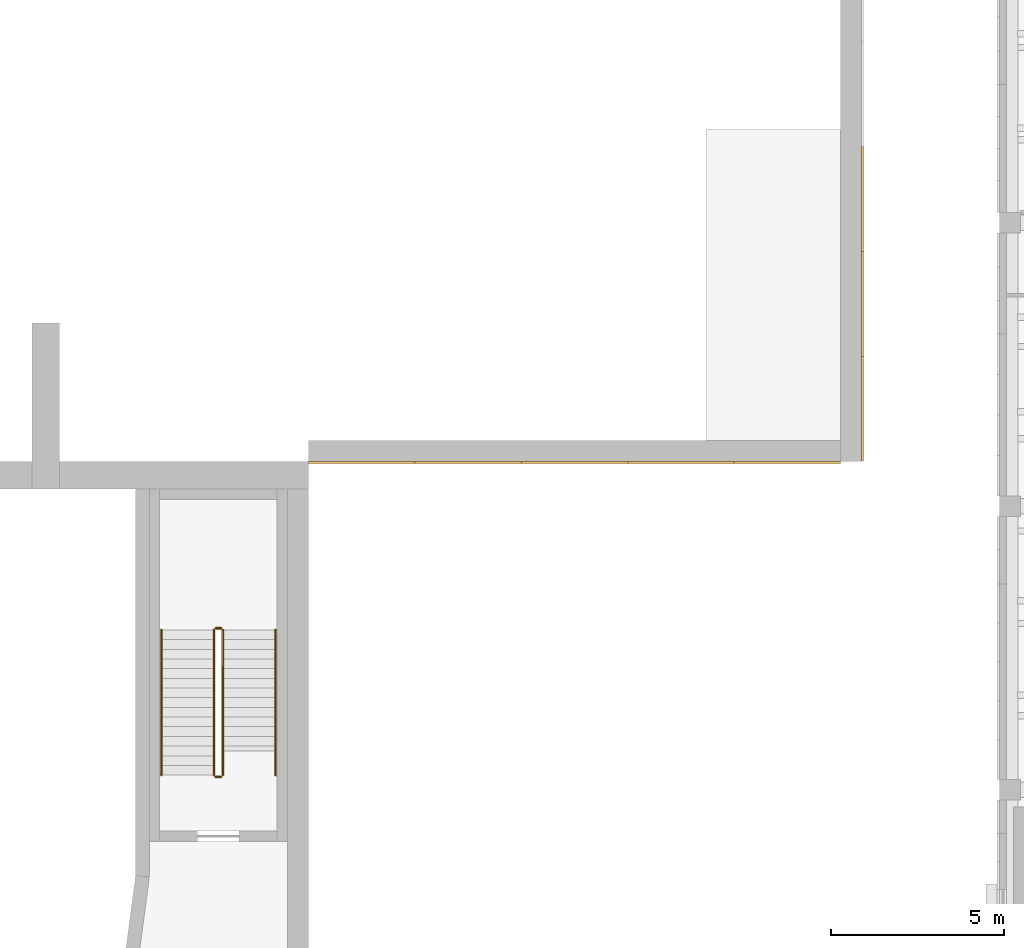
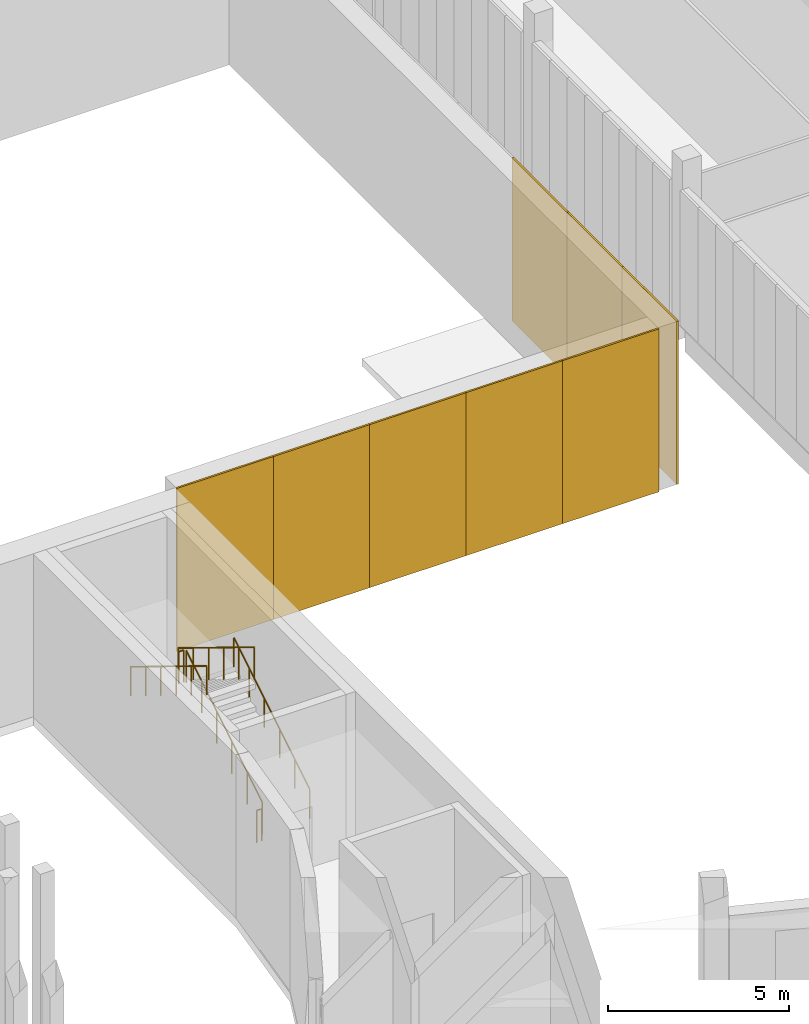
# One storey, part 96 of 112: 8 coverings, 6 railings.
"""IFC4 building model written with IfcOpenShell, lengths in metres."""

from ifc_helpers import new_model, si_unit, direction, frame, origin, origin_2d, place, context, subcontext, project, spatial, rectangle, circle, extrude, material, layer, layer_set, type_object, element, save


model = new_model("IFC4")

# Units and contexts
model_context = context("Model", 3, precision=1e-05, world=origin(), true_north=direction((0.0, 1.0)))
body_context = subcontext(model_context, "Body", "Model", "MODEL_VIEW")
ifc_project = project(units=[si_unit("LENGTHUNIT", "METRE"), si_unit("AREAUNIT", "SQUARE_METRE"), si_unit("VOLUMEUNIT", "CUBIC_METRE"), si_unit("PLANEANGLEUNIT", "RADIAN"), si_unit("MASSUNIT", "GRAM", prefix="KILO")], contexts=[model_context])

# Site, building, storey
site_placement = place(None, origin())
site = spatial("IfcSite", under=ifc_project, at=site_placement, CompositionType="ELEMENT")
building_placement = place(site_placement, origin())
building = spatial("IfcBuilding", under=site, at=building_placement, Name="Lunette Opera House", CompositionType="ELEMENT")
storey_placement = place(building_placement, frame((0.0, 0.0, 6.0)))
storey = spatial("IfcBuildingStorey", under=building, at=storey_placement, Name="L01", CompositionType="ELEMENT", Elevation=6.0)

# Railings
ifc_material_1 = material(Name="Steel S355", Category="steel")
railing_type_1 = type_object("IfcRailingType", Name="STAIR GUARD 1100", PredefinedType="GUARDRAIL", material=ifc_material_1)
railing_1_placement = place(storey_placement, frame((113.530029296875, 86.919921875, 0.171875)))
element("IfcRailing", 1, at=railing_1_placement, inside=storey, type_object=railing_type_1, Name="L01 ST9 stair guard 1", PredefinedType="GUARDRAIL", context=body_context, shape_type="SweptSolid", body=[
    extrude(circle(Radius=0.02392578125, at=origin_2d()), frame((0.0, 0.0, 1.076171875), z_axis=(0.0, 0.852256472501, 0.523124177495), x_axis=(-1.0, 0.0, 0.0)), (0.0, 0.0, 1.0), 4.92822265625),
    extrude(circle(Radius=0.02099609375, at=origin_2d()), origin(), (0.0, 0.0, 1.0), 1.052001953125),
    extrude(circle(Radius=0.02099609375, at=origin_2d()), frame((0.0, 0.840087890625, 0.515625)), (0.0, 0.0, 1.0), 1.052001953125),
    extrude(circle(Radius=0.02099609375, at=origin_2d()), frame((0.0, 1.68017578125, 1.03125)), (0.0, 0.0, 1.0), 1.052001953125),
    extrude(circle(Radius=0.02099609375, at=origin_2d()), frame((0.0, 2.52001953125, 1.546875)), (0.0, 0.0, 1.0), 1.052001953125),
    extrude(circle(Radius=0.02099609375, at=origin_2d()), frame((0.0, 3.360107421875, 2.0625)), (0.0, 0.0, 1.0), 1.052001953125),
    extrude(circle(Radius=0.02099609375, at=origin_2d()), frame((0.0, 4.2001953125, 2.578125)), (0.0, 0.0, 1.0), 1.052001953125),
])
railing_2_placement = place(storey_placement, frame((113.47998046875, 91.169921875, 2.75)))
element("IfcRailing", 2, at=railing_2_placement, inside=storey, type_object=railing_type_1, Name="L01 ST9 stair guard 2", PredefinedType="GUARDRAIL", context=body_context, shape_type="SweptSolid", body=[
    extrude(circle(Radius=0.02392578125, at=origin_2d()), frame((0.0, 0.0, 1.076171875), z_axis=(-1.0, 0.0, 0.0), x_axis=(0.0, -1.0, 0.0)), (0.0, 0.0, 1.0), 0.159912109375),
    extrude(circle(Radius=0.02099609375, at=origin_2d()), origin(), (0.0, 0.0, 1.0), 1.052001953125),
    extrude(circle(Radius=0.02099609375, at=origin_2d()), frame((-0.159912109375, 0.0, 0.0)), (0.0, 0.0, 1.0), 1.052001953125),
])
railing_3_placement = place(storey_placement, frame((113.27001953125, 91.1201171875, 2.921875)))
element("IfcRailing", 3, at=railing_3_placement, inside=storey, type_object=railing_type_1, Name="L01 ST9 stair guard 3", PredefinedType="GUARDRAIL", context=body_context, shape_type="SweptSolid", body=[
    extrude(circle(Radius=0.02392578125, at=origin_2d()), frame((0.0, 0.0, 1.076171875), z_axis=(0.0, -0.852256472501, 0.523124177495), x_axis=(1.0, 0.0, 0.0)), (0.0, 0.0, 1.0), 4.92822265625),
    extrude(circle(Radius=0.02099609375, at=origin_2d()), origin(), (0.0, 0.0, 1.0), 1.052001953125),
    extrude(circle(Radius=0.02099609375, at=origin_2d()), frame((0.0, -0.840087890625, 0.515625)), (0.0, 0.0, 1.0), 1.052001953125),
    extrude(circle(Radius=0.02099609375, at=origin_2d()), frame((0.0, -1.68017578125, 1.03125)), (0.0, 0.0, 1.0), 1.052001953125),
    extrude(circle(Radius=0.02099609375, at=origin_2d()), frame((0.0, -2.52001953125, 1.546875)), (0.0, 0.0, 1.0), 1.052001953125),
    extrude(circle(Radius=0.02099609375, at=origin_2d()), frame((0.0, -3.360107421875, 2.0625)), (0.0, 0.0, 1.0), 1.052001953125),
    extrude(circle(Radius=0.02099609375, at=origin_2d()), frame((0.0, -4.2001953125, 2.578125)), (0.0, 0.0, 1.0), 1.052001953125),
])
railing_4_placement = place(storey_placement, frame((113.47998046875, 86.8701171875, 0.0)))
element("IfcRailing", 4, at=railing_4_placement, inside=storey, type_object=railing_type_1, Name="L01 ST9 stair guard 4", PredefinedType="GUARDRAIL", context=body_context, shape_type="SweptSolid", body=[
    extrude(circle(Radius=0.02392578125, at=origin_2d()), frame((0.0, 0.0, 1.076171875), z_axis=(-1.0, 0.0, 0.0), x_axis=(0.0, -1.0, 0.0)), (0.0, 0.0, 1.0), 0.159912109375),
    extrude(circle(Radius=0.02099609375, at=origin_2d()), origin(), (0.0, 0.0, 1.0), 1.052001953125),
    extrude(circle(Radius=0.02099609375, at=origin_2d()), frame((-0.159912109375, 0.0, 0.0)), (0.0, 0.0, 1.0), 1.052001953125),
])
ifc_material_2 = material(Name="Steel S355", Category="steel")
railing_type_2 = type_object("IfcRailingType", Name="STAIR HANDRAIL 1000", PredefinedType="HANDRAIL", material=ifc_material_2)
railing_5_placement = place(storey_placement, frame((115.050048828125, 86.919921875, 0.171875)))
element("IfcRailing", 5, at=railing_5_placement, inside=storey, type_object=railing_type_2, Name="L01 ST9 stair handrail 1", PredefinedType="HANDRAIL", context=body_context, shape_type="SweptSolid", body=[
    extrude(circle(Radius=0.02392578125, at=origin_2d()), frame((0.0, 0.0, 0.97607421875), z_axis=(0.0, 0.852256472501, 0.523124177495), x_axis=(-1.0, 0.0, 0.0)), (0.0, 0.0, 1.0), 4.92822265625),
    extrude(circle(Radius=0.02099609375, at=origin_2d()), origin(), (0.0, 0.0, 1.0), 0.951904296875),
    extrude(circle(Radius=0.02099609375, at=origin_2d()), frame((0.0, 0.840087890625, 0.515625)), (0.0, 0.0, 1.0), 0.951904296875),
    extrude(circle(Radius=0.02099609375, at=origin_2d()), frame((0.0, 1.68017578125, 1.03125)), (0.0, 0.0, 1.0), 0.951904296875),
    extrude(circle(Radius=0.02099609375, at=origin_2d()), frame((0.0, 2.52001953125, 1.546875)), (0.0, 0.0, 1.0), 0.951904296875),
    extrude(circle(Radius=0.02099609375, at=origin_2d()), frame((0.0, 3.360107421875, 2.0625)), (0.0, 0.0, 1.0), 0.951904296875),
    extrude(circle(Radius=0.02099609375, at=origin_2d()), frame((0.0, 4.2001953125, 2.578125)), (0.0, 0.0, 1.0), 0.951904296875),
])
railing_6_placement = place(storey_placement, frame((111.75, 91.1201171875, 2.921875)))
element("IfcRailing", 6, at=railing_6_placement, inside=storey, type_object=railing_type_2, Name="L01 ST9 stair handrail 2", PredefinedType="HANDRAIL", context=body_context, shape_type="SweptSolid", body=[
    extrude(circle(Radius=0.02392578125, at=origin_2d()), frame((0.0, 0.0, 0.97607421875), z_axis=(0.0, -0.852256472501, 0.523124177495), x_axis=(1.0, 0.0, 0.0)), (0.0, 0.0, 1.0), 4.92822265625),
    extrude(circle(Radius=0.02099609375, at=origin_2d()), origin(), (0.0, 0.0, 1.0), 0.951904296875),
    extrude(circle(Radius=0.02099609375, at=origin_2d()), frame((0.0, -0.840087890625, 0.515625)), (0.0, 0.0, 1.0), 0.951904296875),
    extrude(circle(Radius=0.02099609375, at=origin_2d()), frame((0.0, -1.68017578125, 1.03125)), (0.0, 0.0, 1.0), 0.951904296875),
    extrude(circle(Radius=0.02099609375, at=origin_2d()), frame((0.0, -2.52001953125, 1.546875)), (0.0, 0.0, 1.0), 0.951904296875),
    extrude(circle(Radius=0.02099609375, at=origin_2d()), frame((0.0, -3.360107421875, 2.0625)), (0.0, 0.0, 1.0), 0.951904296875),
    extrude(circle(Radius=0.02099609375, at=origin_2d()), frame((0.0, -4.2001953125, 2.578125)), (0.0, 0.0, 1.0), 0.951904296875),
])

# Coverings
ifc_material_3 = material(Name="Aluminium standing seam cladding", Category="aluminium")
ifc_layer = layer(ifc_material_3, 0.06005859375)
ifc_layer_set = layer_set([ifc_layer], Name="Aluminium standing seam cladding")
covering_type = type_object("IfcCoveringType", Name="STANDING SEAM CLADDING 60", PredefinedType="CLADDING", material=ifc_layer_set)
for number, where, z_axis, x_axis, name in (
    (7, (132.030029296875, 97.51904296875, 0.0), (0.0, 0.0, 1.0), (0.0, 1.0, 0.0), "Standing seam cladding SE-E-1 L01 00"),
    (8, (132.030029296875, 100.555908203125, 0.0), (0.0, 0.0, 1.0), (0.0, 1.0, 0.0), "Standing seam cladding SE-E-1 L01 01"),
    (9, (132.030029296875, 103.593994140625, 0.0), (0.0, 0.0, 1.0), (0.0, 1.0, 0.0), "Standing seam cladding SE-E-1 L01 02"),
):
    element("IfcCovering", number, at=place(storey_placement, frame(where, z_axis=z_axis, x_axis=x_axis)), inside=storey, type_object=covering_type, Name=name, PredefinedType="CLADDING", context=body_context, shape_type="SweptSolid", body=[
        extrude(rectangle(XDim=3.037109375, YDim=0.06005859375, at=origin_2d()), origin(), (0.0, 0.0, 1.0), 5.5),
    ])
for number, where, z_axis, x_axis, name in (
    (10, (117.549072265625, 95.969970703125, 0.0), (0.0, 0.0, 1.0), (1.0, 0.0, 0.0), "Standing seam cladding SE-S-1 L01 00"),
    (11, (120.626953125, 95.969970703125, 0.0), (0.0, 0.0, 1.0), (1.0, 0.0, 0.0), "Standing seam cladding SE-S-1 L01 01"),
    (12, (123.705078125, 95.969970703125, 0.0), (0.0, 0.0, 1.0), (1.0, 0.0, 0.0), "Standing seam cladding SE-S-1 L01 02"),
    (13, (126.782958984375, 95.969970703125, 0.0), (0.0, 0.0, 1.0), (1.0, 0.0, 0.0), "Standing seam cladding SE-S-1 L01 03"),
    (14, (129.861083984375, 95.969970703125, 0.0), (0.0, 0.0, 1.0), (1.0, 0.0, 0.0), "Standing seam cladding SE-S-1 L01 04"),
):
    element("IfcCovering", number, at=place(storey_placement, frame(where, z_axis=z_axis, x_axis=x_axis)), inside=storey, type_object=covering_type, Name=name, PredefinedType="CLADDING", context=body_context, shape_type="SweptSolid", body=[
        extrude(rectangle(XDim=3.077880859375, YDim=0.06005859375, at=origin_2d()), origin(), (0.0, 0.0, 1.0), 5.5),
    ])

save(model, "model.ifc")
